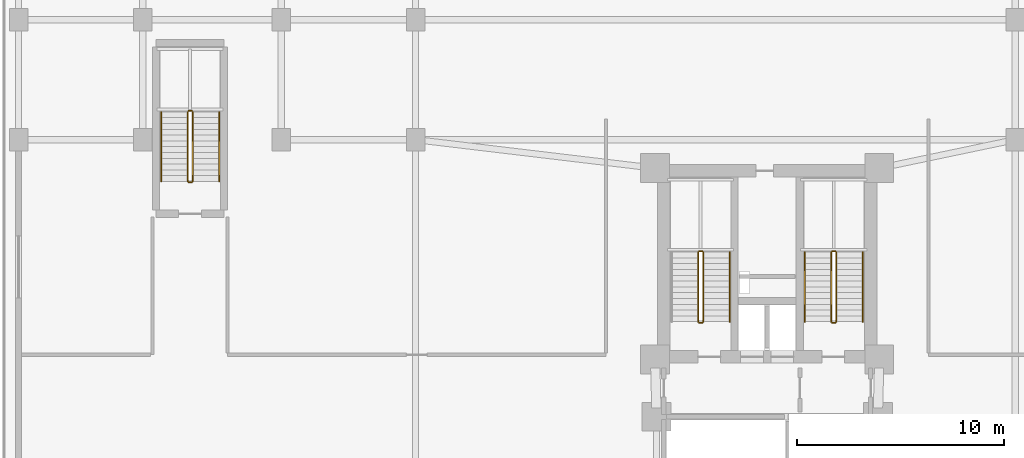
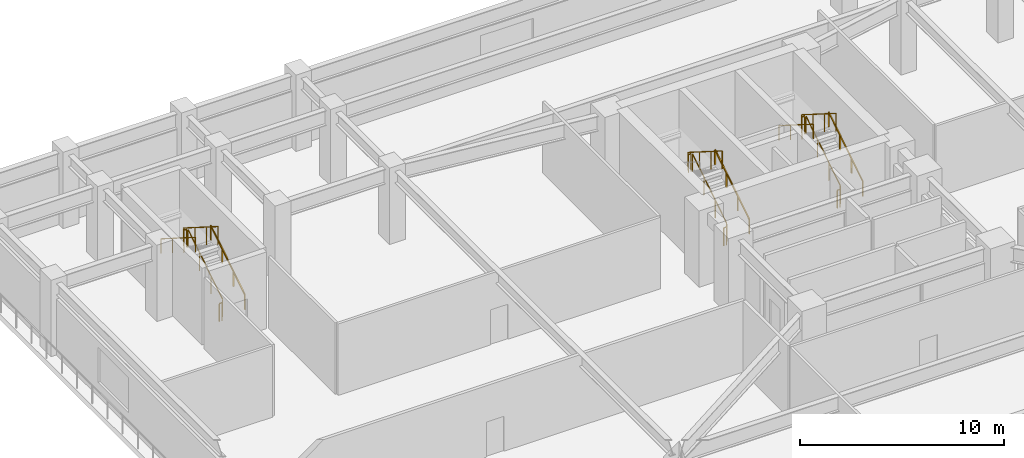
# One storey, part 12 of 12: 17 railings.
"""IFC4 building model written with IfcOpenShell, lengths in metres."""

import ifcopenshell
import ifcopenshell.guid

model = None  # the IFC model being written
_history = None  # IfcOwnerHistory: only IFC2X3 demands one
_inside = {}  # id of a spatial element -> (the spatial element, [elements in it])
_under = {}  # id of a project, library or spatial element -> (it, [spatial elements below it])
_declared = {}  # id of a project -> (the project, [libraries it declares])
_typed = {}  # id of a type object -> (the type object, [elements of that type])
_made_of = {}  # id of a material, layer set ... -> (it, [elements and type objects made of it])


def new_model(schema):
    """Start an empty IFC model of exactly this schema.

    Asked for "IFC4X3", IfcOpenShell would pick the latest addendum, in which some entities
    have other attributes; the version numbers below select the first issue.
    IFC2X3 requires an IfcOwnerHistory on every rooted entity: one is made here for all.
    """
    global model, _history
    if schema == "IFC4X3":
        model = ifcopenshell.file(schema_version=(4, 3, 0, 0))
    else:
        model = ifcopenshell.file(schema=schema)
    _inside.clear()
    _under.clear()
    _declared.clear()
    _typed.clear()
    _made_of.clear()
    _history = None
    if model.schema == "IFC2X3":
        org = make("IfcOrganization", Name="unknown")
        user = make(
            "IfcPersonAndOrganization",
            ThePerson=make("IfcPerson", FamilyName="unknown"),
            TheOrganization=org,
        )
        app = make(
            "IfcApplication",
            ApplicationDeveloper=org,
            Version="unknown",
            ApplicationFullName="unknown",
            ApplicationIdentifier="unknown",
        )
        _history = make(
            "IfcOwnerHistory",
            OwningUser=user,
            OwningApplication=app,
            ChangeAction="ADDED",
            CreationDate=0,
        )
    return model


def make(cls, **values):
    """One entity of the class cls with the attributes given. An attribute that is None is left unset."""
    return model.create_entity(
        cls, **{name: value for name, value in values.items() if value is not None}
    )


def rooted(cls, **values):
    """An entity with a GlobalId (a new one), such as an element, a storey or a relation."""
    return make(cls, GlobalId=ifcopenshell.guid.new(), OwnerHistory=_history, **values)


def si_unit(unit_type, name, prefix=None):
    """IfcSIUnit, for example si_unit("LENGTHUNIT", "METRE", prefix="MILLI")."""
    return make("IfcSIUnit", UnitType=unit_type, Prefix=prefix, Name=name)


def assignment(units):
    """IfcUnitAssignment: the units of a project."""
    return None if units is None else make("IfcUnitAssignment", Units=units)


def point(xyz):
    """IfcCartesianPoint."""
    return None if xyz is None else make("IfcCartesianPoint", Coordinates=xyz)


def direction(xyz):
    """IfcDirection."""
    return None if xyz is None else make("IfcDirection", DirectionRatios=xyz)


def frame(location, z_axis=None, x_axis=None):
    """IfcAxis2Placement3D, a coordinate frame: its origin and axes. An axis left out is left unset."""
    return make(
        "IfcAxis2Placement3D",
        Location=point(location),
        Axis=direction(z_axis),
        RefDirection=direction(x_axis),
    )


def frame_2d(location, x_axis=None):
    """IfcAxis2Placement2D, a coordinate frame in the plane: its origin and x axis."""
    return make(
        "IfcAxis2Placement2D", Location=point(location), RefDirection=direction(x_axis)
    )


def origin():
    """The frame at (0, 0, 0) with its axes left unset."""
    return frame((0.0, 0.0, 0.0))


def origin_2d():
    """The frame at (0, 0) in the plane with its x axis left unset."""
    return frame_2d((0.0, 0.0))


def place(relative_to, where):
    """IfcLocalPlacement: puts the frame where relative to a parent placement (None: the world)."""
    return make(
        "IfcLocalPlacement", PlacementRelTo=relative_to, RelativePlacement=where
    )


def context(
    kind, dimensions, precision=None, world=None, true_north=None, identifier=None
):
    """IfcGeometricRepresentationContext, for example the 3D "Model" context."""
    return make(
        "IfcGeometricRepresentationContext",
        ContextIdentifier=identifier,
        ContextType=kind,
        CoordinateSpaceDimension=dimensions,
        Precision=precision,
        WorldCoordinateSystem=world,
        TrueNorth=true_north,
    )


def subcontext(parent, identifier, kind, view, scale=None):
    """IfcGeometricRepresentationSubContext, for example "Body" below "Model"."""
    return make(
        "IfcGeometricRepresentationSubContext",
        ContextIdentifier=identifier,
        ContextType=kind,
        ParentContext=parent,
        TargetScale=scale,
        TargetView=view,
    )


def project(units=None, contexts=None):
    """IfcProject with its units and contexts."""
    return rooted(
        "IfcProject",
        Name="project",
        RepresentationContexts=contexts,
        UnitsInContext=assignment(units),
    )


def spatial(cls, under=None, at=None, **own):
    """A site, building, storey or space (cls), placed at a placement, below another one or the project."""
    s = rooted(cls, ObjectPlacement=at, **own)
    if under is not None:
        _under.setdefault(under.id(), (under, []))[1].append(s)
    return s


def profile(cls, at=None, kind="AREA", **sizes):
    """A parametric profile (cls). Its sizes go by their IFC names, for example OverallWidth=200.0."""
    return make(cls, ProfileType=kind, Position=at, **sizes)


def rectangle(**sizes):
    """IfcRectangleProfileDef."""
    return profile("IfcRectangleProfileDef", **sizes)


def extrude(swept, where, along, depth):
    """IfcExtrudedAreaSolid: the profile swept, set in the frame where, extruded along a direction by depth."""
    return make(
        "IfcExtrudedAreaSolid",
        SweptArea=swept,
        Position=where,
        ExtrudedDirection=direction(along),
        Depth=depth,
    )


def shape(context_of_items, identifier, shape_type, items):
    """IfcShapeRepresentation: the items that make up one representation, for example the "Body"."""
    return make(
        "IfcShapeRepresentation",
        ContextOfItems=context_of_items,
        RepresentationIdentifier=identifier,
        RepresentationType=shape_type,
        Items=items,
    )


def material(Name=None, Category=None):
    """IfcMaterial."""
    return make("IfcMaterial", Name=Name, Category=Category)


def made_of(thing, what):
    """Note that an element or type object is made of a material, layer set ...; save() writes the relation."""
    if what is not None:
        _made_of.setdefault(what.id(), (what, []))[1].append(thing)
    return thing


def type_object(cls, material=None, **own):
    """A type object (cls), such as IfcWallType, which elements share."""
    return made_of(rooted(cls, **own), material)


def element(
    cls,
    number,
    at=None,
    inside=None,
    cuts=None,
    type_object=None,
    material=None,
    context=None,
    identifier="Body",
    shape_type=None,
    held_by="IfcProductDefinitionShape",
    body=None,
    shapes=None,
    **own,
):
    """One element of the class cls, such as IfcWall. Its Tag is "e" and its number.

    at: its placement. inside: the storey or other place that contains it. cuts: it is an
    opening in that element (IfcRelVoidsElement). A single representation is given by context,
    identifier, shape_type and body (its items); several are given by shapes. held_by: the class
    of the entity that holds the representations. save() writes the other relations.
    """
    e = rooted(cls, Tag="e%d" % number, ObjectPlacement=at, **own)
    if body is not None:
        shapes = [shape(context, identifier, shape_type, body)]
    if shapes is not None:
        e.Representation = make(held_by, Representations=shapes)
    if inside is not None:
        _inside.setdefault(inside.id(), (inside, []))[1].append(e)
    if cuts is not None:
        rooted(
            "IfcRelVoidsElement", RelatingBuildingElement=cuts, RelatedOpeningElement=e
        )
    if type_object is not None:
        _typed.setdefault(type_object.id(), (type_object, []))[1].append(e)
    return made_of(e, material)


def aggregate(whole, parts):
    """IfcRelAggregates: a whole, such as a stair, and the parts it consists of."""
    return rooted("IfcRelAggregates", RelatingObject=whole, RelatedObjects=parts)


def save(model, path):
    """Write the relations noted so far, then the file.

    IfcRelAggregates (storeys below a building ...), IfcRelContainedInSpatialStructure (elements
    in a storey), IfcRelDefinesByType, IfcRelAssociatesMaterial and IfcRelDeclares: one each for
    every whole, place, type object, material and project.
    """
    for whole, parts in _under.values():
        aggregate(whole, parts)
    for where, things in _inside.values():
        rooted(
            "IfcRelContainedInSpatialStructure",
            RelatedElements=things,
            RelatingStructure=where,
        )
    for kind, things in _typed.values():
        rooted("IfcRelDefinesByType", RelatedObjects=things, RelatingType=kind)
    for what, things in _made_of.values():
        rooted("IfcRelAssociatesMaterial", RelatedObjects=things, RelatingMaterial=what)
    for by, libraries in _declared.values():
        rooted("IfcRelDeclares", RelatingContext=by, RelatedDefinitions=libraries)
    model.write(path)


model = new_model("IFC4")

# Units and contexts
model_context = context("Model", 3, precision=1e-05, world=origin(), true_north=direction((0.0, 1.0)))
body_context = subcontext(model_context, "Body", "Model", "MODEL_VIEW")
ifc_project = project(units=[si_unit("LENGTHUNIT", "METRE"), si_unit("AREAUNIT", "SQUARE_METRE"), si_unit("VOLUMEUNIT", "CUBIC_METRE"), si_unit("PLANEANGLEUNIT", "RADIAN"), si_unit("MASSUNIT", "GRAM", prefix="KILO")], contexts=[model_context])

# Site, building, storey
site_placement = place(None, origin())
site = spatial("IfcSite", under=ifc_project, at=site_placement, CompositionType="ELEMENT")
building_placement = place(site_placement, origin())
building = spatial("IfcBuilding", under=site, at=building_placement, Name="Varnakorn Sky Granary", CompositionType="ELEMENT")
storey_placement = place(building_placement, frame((0.0, 0.0, 4.60009765625)))
storey = spatial("IfcBuildingStorey", under=building, at=storey_placement, Name="L01", CompositionType="ELEMENT", Elevation=4.60009765625)

# Railings
ifc_material = material(Name="Brushed Stainless Steel 316", Category="steel")
railing_type_1 = type_object("IfcRailingType", Name="RL-STAIR-1100", PredefinedType="GUARDRAIL", material=ifc_material)
railing_1_placement = place(storey_placement, frame((-0.090087890625, 5.199951171875, 0.1767578125)))
element("IfcRailing", 1, at=railing_1_placement, inside=storey, type_object=railing_type_1, Name="L01 ST-1 stair guard 1", PredefinedType="GUARDRAIL", context=body_context, shape_type="SweptSolid", body=[
    extrude(rectangle(XDim=0.048095703125, YDim=0.048095703125, at=origin_2d()), frame((0.0, 0.0, 1.076171875), z_axis=(0.0, 0.845389635667, 0.534150132366), x_axis=(-1.0, 0.0, 0.0)), (0.0, 0.0, 1.0), 3.974609375),
    extrude(rectangle(XDim=0.0419921875, YDim=0.0419921875, at=origin_2d()), origin(), (0.0, 0.0, 1.0), 1.048095703125),
    extrude(rectangle(XDim=0.0419921875, YDim=0.0419921875, at=origin_2d()), frame((0.0, 1.1201171875, 0.707763671875)), (0.0, 0.0, 1.0), 1.048095703125),
    extrude(rectangle(XDim=0.0419921875, YDim=0.0419921875, at=origin_2d()), frame((0.0, 2.239990234375, 1.415283203125)), (0.0, 0.0, 1.0), 1.048095703125),
    extrude(rectangle(XDim=0.0419921875, YDim=0.0419921875, at=origin_2d()), frame((0.0, 3.360107421875, 2.123046875)), (0.0, 0.0, 1.0), 1.048095703125),
])
railing_2_placement = place(storey_placement, frame((-0.139892578125, 8.610107421875, 2.2998046875)))
element("IfcRailing", 2, at=railing_2_placement, inside=storey, type_object=railing_type_1, Name="L01 ST-1 stair guard 2", PredefinedType="GUARDRAIL", context=body_context, shape_type="SweptSolid", body=[
    extrude(rectangle(XDim=0.048095703125, YDim=0.048095703125, at=origin_2d()), frame((0.0, 0.0, 1.076171875), z_axis=(-1.0, 0.0, 0.0), x_axis=(0.0, -1.0, 0.0)), (0.0, 0.0, 1.0), 0.150146484375),
    extrude(rectangle(XDim=0.0419921875, YDim=0.0419921875, at=origin_2d()), origin(), (0.0, 0.0, 1.0), 1.048095703125),
    extrude(rectangle(XDim=0.0419921875, YDim=0.0419921875, at=origin_2d()), frame((-0.150146484375, 0.0, 0.0)), (0.0, 0.0, 1.0), 1.048095703125),
])
railing_3_placement = place(storey_placement, frame((-0.340087890625, 8.56005859375, 2.476806640625)))
element("IfcRailing", 3, at=railing_3_placement, inside=storey, type_object=railing_type_1, Name="L01 ST-1 stair guard 3", PredefinedType="GUARDRAIL", context=body_context, shape_type="SweptSolid", body=[
    extrude(rectangle(XDim=0.048095703125, YDim=0.048095703125, at=origin_2d()), frame((0.0, 0.0, 1.076171875), z_axis=(0.0, -0.845389635667, 0.534150132366), x_axis=(1.0, 0.0, 0.0)), (0.0, 0.0, 1.0), 3.974609375),
    extrude(rectangle(XDim=0.0419921875, YDim=0.0419921875, at=origin_2d()), origin(), (0.0, 0.0, 1.0), 1.048095703125),
    extrude(rectangle(XDim=0.0419921875, YDim=0.0419921875, at=origin_2d()), frame((0.0, -1.1201171875, 0.707763671875)), (0.0, 0.0, 1.0), 1.048095703125),
    extrude(rectangle(XDim=0.0419921875, YDim=0.0419921875, at=origin_2d()), frame((0.0, -2.239990234375, 1.415283203125)), (0.0, 0.0, 1.0), 1.048095703125),
    extrude(rectangle(XDim=0.0419921875, YDim=0.0419921875, at=origin_2d()), frame((0.0, -3.360107421875, 2.123046875)), (0.0, 0.0, 1.0), 1.048095703125),
])
railing_4_placement = place(storey_placement, frame((-0.139892578125, 5.14990234375, 0.0)))
element("IfcRailing", 4, at=railing_4_placement, inside=storey, type_object=railing_type_1, Name="L01 ST-1 stair guard 4", PredefinedType="GUARDRAIL", context=body_context, shape_type="SweptSolid", body=[
    extrude(rectangle(XDim=0.048095703125, YDim=0.048095703125, at=origin_2d()), frame((0.0, 0.0, 1.076171875), z_axis=(-1.0, 0.0, 0.0), x_axis=(0.0, -1.0, 0.0)), (0.0, 0.0, 1.0), 0.150146484375),
    extrude(rectangle(XDim=0.0419921875, YDim=0.0419921875, at=origin_2d()), origin(), (0.0, 0.0, 1.0), 1.048095703125),
    extrude(rectangle(XDim=0.0419921875, YDim=0.0419921875, at=origin_2d()), frame((-0.150146484375, 0.0, 0.0)), (0.0, 0.0, 1.0), 1.048095703125),
])
railing_5_placement = place(storey_placement, frame((6.35009765625, 5.199951171875, 0.1767578125)))
element("IfcRailing", 5, at=railing_5_placement, inside=storey, type_object=railing_type_1, Name="L01 ST-2 stair guard 1", PredefinedType="GUARDRAIL", context=body_context, shape_type="SweptSolid", body=[
    extrude(rectangle(XDim=0.048095703125, YDim=0.048095703125, at=origin_2d()), frame((0.0, 0.0, 1.076171875), z_axis=(0.0, 0.845389635667, 0.534150132366), x_axis=(-1.0, 0.0, 0.0)), (0.0, 0.0, 1.0), 3.974609375),
    extrude(rectangle(XDim=0.0419921875, YDim=0.0419921875, at=origin_2d()), origin(), (0.0, 0.0, 1.0), 1.048095703125),
    extrude(rectangle(XDim=0.0419921875, YDim=0.0419921875, at=origin_2d()), frame((0.0, 1.1201171875, 0.707763671875)), (0.0, 0.0, 1.0), 1.048095703125),
    extrude(rectangle(XDim=0.0419921875, YDim=0.0419921875, at=origin_2d()), frame((0.0, 2.239990234375, 1.415283203125)), (0.0, 0.0, 1.0), 1.048095703125),
    extrude(rectangle(XDim=0.0419921875, YDim=0.0419921875, at=origin_2d()), frame((0.0, 3.360107421875, 2.123046875)), (0.0, 0.0, 1.0), 1.048095703125),
])
railing_6_placement = place(storey_placement, frame((6.300048828125, 8.610107421875, 2.2998046875)))
element("IfcRailing", 6, at=railing_6_placement, inside=storey, type_object=railing_type_1, Name="L01 ST-2 stair guard 2", PredefinedType="GUARDRAIL", context=body_context, shape_type="SweptSolid", body=[
    extrude(rectangle(XDim=0.048095703125, YDim=0.048095703125, at=origin_2d()), frame((0.0, 0.0, 1.076171875), z_axis=(-1.0, 0.0, 0.0), x_axis=(0.0, -1.0, 0.0)), (0.0, 0.0, 1.0), 0.150146484375),
    extrude(rectangle(XDim=0.0419921875, YDim=0.0419921875, at=origin_2d()), origin(), (0.0, 0.0, 1.0), 1.048095703125),
    extrude(rectangle(XDim=0.0419921875, YDim=0.0419921875, at=origin_2d()), frame((-0.150146484375, 0.0, 0.0)), (0.0, 0.0, 1.0), 1.048095703125),
])
railing_7_placement = place(storey_placement, frame((6.10009765625, 8.56005859375, 2.476806640625)))
element("IfcRailing", 7, at=railing_7_placement, inside=storey, type_object=railing_type_1, Name="L01 ST-2 stair guard 3", PredefinedType="GUARDRAIL", context=body_context, shape_type="SweptSolid", body=[
    extrude(rectangle(XDim=0.048095703125, YDim=0.048095703125, at=origin_2d()), frame((0.0, 0.0, 1.076171875), z_axis=(0.0, -0.845389635667, 0.534150132366), x_axis=(1.0, 0.0, 0.0)), (0.0, 0.0, 1.0), 3.974609375),
    extrude(rectangle(XDim=0.0419921875, YDim=0.0419921875, at=origin_2d()), origin(), (0.0, 0.0, 1.0), 1.048095703125),
    extrude(rectangle(XDim=0.0419921875, YDim=0.0419921875, at=origin_2d()), frame((0.0, -1.1201171875, 0.707763671875)), (0.0, 0.0, 1.0), 1.048095703125),
    extrude(rectangle(XDim=0.0419921875, YDim=0.0419921875, at=origin_2d()), frame((0.0, -2.239990234375, 1.415283203125)), (0.0, 0.0, 1.0), 1.048095703125),
    extrude(rectangle(XDim=0.0419921875, YDim=0.0419921875, at=origin_2d()), frame((0.0, -3.360107421875, 2.123046875)), (0.0, 0.0, 1.0), 1.048095703125),
])
railing_8_placement = place(storey_placement, frame((6.300048828125, 5.14990234375, 0.0)))
element("IfcRailing", 8, at=railing_8_placement, inside=storey, type_object=railing_type_1, Name="L01 ST-2 stair guard 4", PredefinedType="GUARDRAIL", context=body_context, shape_type="SweptSolid", body=[
    extrude(rectangle(XDim=0.048095703125, YDim=0.048095703125, at=origin_2d()), frame((0.0, 0.0, 1.076171875), z_axis=(-1.0, 0.0, 0.0), x_axis=(0.0, -1.0, 0.0)), (0.0, 0.0, 1.0), 0.150146484375),
    extrude(rectangle(XDim=0.0419921875, YDim=0.0419921875, at=origin_2d()), origin(), (0.0, 0.0, 1.0), 1.048095703125),
    extrude(rectangle(XDim=0.0419921875, YDim=0.0419921875, at=origin_2d()), frame((-0.150146484375, 0.0, 0.0)), (0.0, 0.0, 1.0), 1.048095703125),
])
railing_9_placement = place(storey_placement, frame((-24.780029296875, 11.97998046875, 0.1767578125)))
element("IfcRailing", 9, at=railing_9_placement, inside=storey, type_object=railing_type_1, Name="L01 ST-B3 stair guard 1", PredefinedType="GUARDRAIL", context=body_context, shape_type="SweptSolid", body=[
    extrude(rectangle(XDim=0.048095703125, YDim=0.048095703125, at=origin_2d()), frame((0.0, 0.0, 1.076171875), z_axis=(0.0, 0.845389635667, 0.534150132366), x_axis=(-1.0, 0.0, 0.0)), (0.0, 0.0, 1.0), 3.974609375),
    extrude(rectangle(XDim=0.0419921875, YDim=0.0419921875, at=origin_2d()), origin(), (0.0, 0.0, 1.0), 1.048095703125),
    extrude(rectangle(XDim=0.0419921875, YDim=0.0419921875, at=origin_2d()), frame((0.0, 1.1201171875, 0.707763671875)), (0.0, 0.0, 1.0), 1.048095703125),
    extrude(rectangle(XDim=0.0419921875, YDim=0.0419921875, at=origin_2d()), frame((0.0, 2.239990234375, 1.415283203125)), (0.0, 0.0, 1.0), 1.048095703125),
    extrude(rectangle(XDim=0.0419921875, YDim=0.0419921875, at=origin_2d()), frame((0.0, 3.360107421875, 2.123046875)), (0.0, 0.0, 1.0), 1.048095703125),
])
railing_10_placement = place(storey_placement, frame((-24.830078125, 15.389892578125, 2.2998046875)))
element("IfcRailing", 10, at=railing_10_placement, inside=storey, type_object=railing_type_1, Name="L01 ST-B3 stair guard 2", PredefinedType="GUARDRAIL", context=body_context, shape_type="SweptSolid", body=[
    extrude(rectangle(XDim=0.048095703125, YDim=0.048095703125, at=origin_2d()), frame((0.0, 0.0, 1.076171875), z_axis=(-1.0, 0.0, 0.0), x_axis=(0.0, -1.0, 0.0)), (0.0, 0.0, 1.0), 0.14990234375),
    extrude(rectangle(XDim=0.0419921875, YDim=0.0419921875, at=origin_2d()), origin(), (0.0, 0.0, 1.0), 1.048095703125),
    extrude(rectangle(XDim=0.0419921875, YDim=0.0419921875, at=origin_2d()), frame((-0.14990234375, 0.0, 0.0)), (0.0, 0.0, 1.0), 1.048095703125),
])
railing_11_placement = place(storey_placement, frame((-25.030029296875, 15.340087890625, 2.476806640625)))
element("IfcRailing", 11, at=railing_11_placement, inside=storey, type_object=railing_type_1, Name="L01 ST-B3 stair guard 3", PredefinedType="GUARDRAIL", context=body_context, shape_type="SweptSolid", body=[
    extrude(rectangle(XDim=0.048095703125, YDim=0.048095703125, at=origin_2d()), frame((0.0, 0.0, 1.076171875), z_axis=(0.0, -0.845389635667, 0.534150132366), x_axis=(1.0, 0.0, 0.0)), (0.0, 0.0, 1.0), 3.974609375),
    extrude(rectangle(XDim=0.0419921875, YDim=0.0419921875, at=origin_2d()), origin(), (0.0, 0.0, 1.0), 1.048095703125),
    extrude(rectangle(XDim=0.0419921875, YDim=0.0419921875, at=origin_2d()), frame((0.0, -1.1201171875, 0.707763671875)), (0.0, 0.0, 1.0), 1.048095703125),
    extrude(rectangle(XDim=0.0419921875, YDim=0.0419921875, at=origin_2d()), frame((0.0, -2.239990234375, 1.415283203125)), (0.0, 0.0, 1.0), 1.048095703125),
    extrude(rectangle(XDim=0.0419921875, YDim=0.0419921875, at=origin_2d()), frame((0.0, -3.360107421875, 2.123046875)), (0.0, 0.0, 1.0), 1.048095703125),
])
railing_12_placement = place(storey_placement, frame((-24.830078125, 11.929931640625, 0.0)))
element("IfcRailing", 12, at=railing_12_placement, inside=storey, type_object=railing_type_1, Name="L01 ST-B3 stair guard 4", PredefinedType="GUARDRAIL", context=body_context, shape_type="SweptSolid", body=[
    extrude(rectangle(XDim=0.048095703125, YDim=0.048095703125, at=origin_2d()), frame((0.0, 0.0, 1.076171875), z_axis=(-1.0, 0.0, 0.0), x_axis=(0.0, -1.0, 0.0)), (0.0, 0.0, 1.0), 0.14990234375),
    extrude(rectangle(XDim=0.0419921875, YDim=0.0419921875, at=origin_2d()), origin(), (0.0, 0.0, 1.0), 1.048095703125),
    extrude(rectangle(XDim=0.0419921875, YDim=0.0419921875, at=origin_2d()), frame((-0.14990234375, 0.0, 0.0)), (0.0, 0.0, 1.0), 1.048095703125),
])
railing_type_2 = type_object("IfcRailingType", Name="RL-STAIR-920", PredefinedType="HANDRAIL", material=ifc_material)
for number, where, name in (
    (13, (1.18994140625, 5.199951171875, 0.1767578125), "L01 ST-1 stair handrail 1"),
    (14, (7.6298828125, 5.199951171875, 0.1767578125), "L01 ST-2 stair handrail 1"),
):
    element("IfcRailing", number, at=place(storey_placement, frame(where)), inside=storey, type_object=railing_type_2, Name=name, PredefinedType="HANDRAIL", context=body_context, shape_type="SweptSolid", body=[
        extrude(rectangle(XDim=0.048095703125, YDim=0.048095703125, at=origin_2d()), frame((0.0, 0.0, 0.8759765625), z_axis=(0.0, 0.845389635667, 0.534150132366), x_axis=(-1.0, 0.0, 0.0)), (0.0, 0.0, 1.0), 3.974609375),
        extrude(rectangle(XDim=0.0419921875, YDim=0.0419921875, at=origin_2d()), origin(), (0.0, 0.0, 1.0), 0.847900390625),
        extrude(rectangle(XDim=0.0419921875, YDim=0.0419921875, at=origin_2d()), frame((0.0, 1.1201171875, 0.707763671875)), (0.0, 0.0, 1.0), 0.847900390625),
        extrude(rectangle(XDim=0.0419921875, YDim=0.0419921875, at=origin_2d()), frame((0.0, 2.239990234375, 1.415283203125)), (0.0, 0.0, 1.0), 0.847900390625),
        extrude(rectangle(XDim=0.0419921875, YDim=0.0419921875, at=origin_2d()), frame((0.0, 3.360107421875, 2.123046875)), (0.0, 0.0, 1.0), 0.847900390625),
    ])
railing_13_placement = place(storey_placement, frame((4.820068359375, 8.56005859375, 2.476806640625)))
element("IfcRailing", 15, at=railing_13_placement, inside=storey, type_object=railing_type_2, Name="L01 ST-2 stair handrail 2", PredefinedType="HANDRAIL", context=body_context, shape_type="SweptSolid", body=[
    extrude(rectangle(XDim=0.048095703125, YDim=0.048095703125, at=origin_2d()), frame((0.0, 0.0, 0.8759765625), z_axis=(0.0, -0.845389635667, 0.534150132366), x_axis=(1.0, 0.0, 0.0)), (0.0, 0.0, 1.0), 3.974609375),
    extrude(rectangle(XDim=0.0419921875, YDim=0.0419921875, at=origin_2d()), origin(), (0.0, 0.0, 1.0), 0.847900390625),
    extrude(rectangle(XDim=0.0419921875, YDim=0.0419921875, at=origin_2d()), frame((0.0, -1.1201171875, 0.707763671875)), (0.0, 0.0, 1.0), 0.847900390625),
    extrude(rectangle(XDim=0.0419921875, YDim=0.0419921875, at=origin_2d()), frame((0.0, -2.239990234375, 1.415283203125)), (0.0, 0.0, 1.0), 0.847900390625),
    extrude(rectangle(XDim=0.0419921875, YDim=0.0419921875, at=origin_2d()), frame((0.0, -3.360107421875, 2.123046875)), (0.0, 0.0, 1.0), 0.847900390625),
])
railing_14_placement = place(storey_placement, frame((-23.5, 11.97998046875, 0.1767578125)))
element("IfcRailing", 16, at=railing_14_placement, inside=storey, type_object=railing_type_2, Name="L01 ST-B3 stair handrail 1", PredefinedType="HANDRAIL", context=body_context, shape_type="SweptSolid", body=[
    extrude(rectangle(XDim=0.048095703125, YDim=0.048095703125, at=origin_2d()), frame((0.0, 0.0, 0.8759765625), z_axis=(0.0, 0.845389635667, 0.534150132366), x_axis=(-1.0, 0.0, 0.0)), (0.0, 0.0, 1.0), 3.974609375),
    extrude(rectangle(XDim=0.0419921875, YDim=0.0419921875, at=origin_2d()), origin(), (0.0, 0.0, 1.0), 0.847900390625),
    extrude(rectangle(XDim=0.0419921875, YDim=0.0419921875, at=origin_2d()), frame((0.0, 1.1201171875, 0.707763671875)), (0.0, 0.0, 1.0), 0.847900390625),
    extrude(rectangle(XDim=0.0419921875, YDim=0.0419921875, at=origin_2d()), frame((0.0, 2.239990234375, 1.415283203125)), (0.0, 0.0, 1.0), 0.847900390625),
    extrude(rectangle(XDim=0.0419921875, YDim=0.0419921875, at=origin_2d()), frame((0.0, 3.360107421875, 2.123046875)), (0.0, 0.0, 1.0), 0.847900390625),
])
railing_15_placement = place(storey_placement, frame((-26.31005859375, 15.340087890625, 2.476806640625)))
element("IfcRailing", 17, at=railing_15_placement, inside=storey, type_object=railing_type_2, Name="L01 ST-B3 stair handrail 2", PredefinedType="HANDRAIL", context=body_context, shape_type="SweptSolid", body=[
    extrude(rectangle(XDim=0.048095703125, YDim=0.048095703125, at=origin_2d()), frame((0.0, 0.0, 0.8759765625), z_axis=(0.0, -0.845389635667, 0.534150132366), x_axis=(1.0, 0.0, 0.0)), (0.0, 0.0, 1.0), 3.974609375),
    extrude(rectangle(XDim=0.0419921875, YDim=0.0419921875, at=origin_2d()), origin(), (0.0, 0.0, 1.0), 0.847900390625),
    extrude(rectangle(XDim=0.0419921875, YDim=0.0419921875, at=origin_2d()), frame((0.0, -1.1201171875, 0.707763671875)), (0.0, 0.0, 1.0), 0.847900390625),
    extrude(rectangle(XDim=0.0419921875, YDim=0.0419921875, at=origin_2d()), frame((0.0, -2.239990234375, 1.415283203125)), (0.0, 0.0, 1.0), 0.847900390625),
    extrude(rectangle(XDim=0.0419921875, YDim=0.0419921875, at=origin_2d()), frame((0.0, -3.360107421875, 2.123046875)), (0.0, 0.0, 1.0), 0.847900390625),
])

save(model, "model.ifc")
